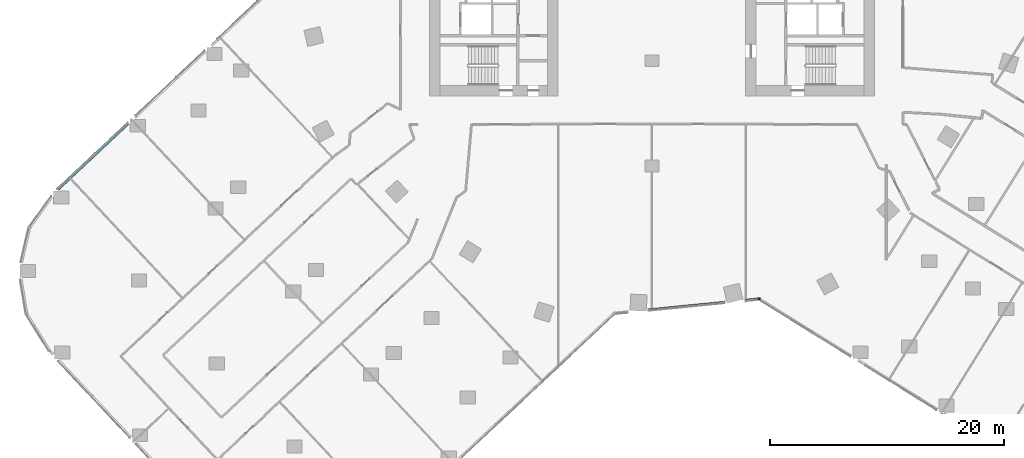
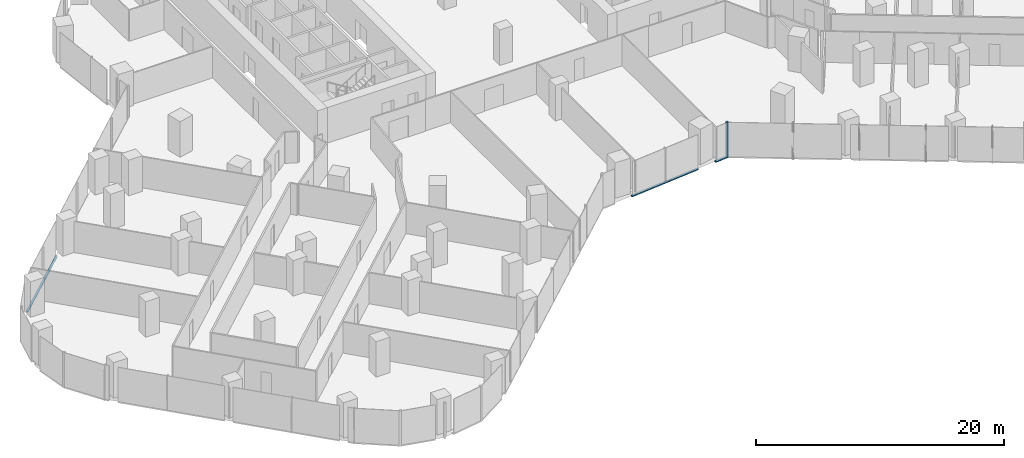
# One storey, part 5 of 34: 4 members, 2 elements without a shape of their own.
"""IFC4 building model written with IfcOpenShell, lengths in metres."""

import ifcopenshell
import ifcopenshell.guid

model = None  # the IFC model being written
_history = None  # IfcOwnerHistory: only IFC2X3 demands one
_inside = {}  # id of a spatial element -> (the spatial element, [elements in it])
_under = {}  # id of a project, library or spatial element -> (it, [spatial elements below it])
_declared = {}  # id of a project -> (the project, [libraries it declares])
_typed = {}  # id of a type object -> (the type object, [elements of that type])
_made_of = {}  # id of a material, layer set ... -> (it, [elements and type objects made of it])


def new_model(schema):
    """Start an empty IFC model of exactly this schema.

    Asked for "IFC4X3", IfcOpenShell would pick the latest addendum, in which some entities
    have other attributes; the version numbers below select the first issue.
    IFC2X3 requires an IfcOwnerHistory on every rooted entity: one is made here for all.
    """
    global model, _history
    if schema == "IFC4X3":
        model = ifcopenshell.file(schema_version=(4, 3, 0, 0))
    else:
        model = ifcopenshell.file(schema=schema)
    _inside.clear()
    _under.clear()
    _declared.clear()
    _typed.clear()
    _made_of.clear()
    _history = None
    if model.schema == "IFC2X3":
        org = make("IfcOrganization", Name="unknown")
        user = make(
            "IfcPersonAndOrganization",
            ThePerson=make("IfcPerson", FamilyName="unknown"),
            TheOrganization=org,
        )
        app = make(
            "IfcApplication",
            ApplicationDeveloper=org,
            Version="unknown",
            ApplicationFullName="unknown",
            ApplicationIdentifier="unknown",
        )
        _history = make(
            "IfcOwnerHistory",
            OwningUser=user,
            OwningApplication=app,
            ChangeAction="ADDED",
            CreationDate=0,
        )
    return model


def make(cls, **values):
    """One entity of the class cls with the attributes given. An attribute that is None is left unset."""
    return model.create_entity(
        cls, **{name: value for name, value in values.items() if value is not None}
    )


def rooted(cls, **values):
    """An entity with a GlobalId (a new one), such as an element, a storey or a relation."""
    return make(cls, GlobalId=ifcopenshell.guid.new(), OwnerHistory=_history, **values)


def si_unit(unit_type, name, prefix=None):
    """IfcSIUnit, for example si_unit("LENGTHUNIT", "METRE", prefix="MILLI")."""
    return make("IfcSIUnit", UnitType=unit_type, Prefix=prefix, Name=name)


def assignment(units):
    """IfcUnitAssignment: the units of a project."""
    return None if units is None else make("IfcUnitAssignment", Units=units)


def point(xyz):
    """IfcCartesianPoint."""
    return None if xyz is None else make("IfcCartesianPoint", Coordinates=xyz)


def direction(xyz):
    """IfcDirection."""
    return None if xyz is None else make("IfcDirection", DirectionRatios=xyz)


def frame(location, z_axis=None, x_axis=None):
    """IfcAxis2Placement3D, a coordinate frame: its origin and axes. An axis left out is left unset."""
    return make(
        "IfcAxis2Placement3D",
        Location=point(location),
        Axis=direction(z_axis),
        RefDirection=direction(x_axis),
    )


def frame_2d(location, x_axis=None):
    """IfcAxis2Placement2D, a coordinate frame in the plane: its origin and x axis."""
    return make(
        "IfcAxis2Placement2D", Location=point(location), RefDirection=direction(x_axis)
    )


def origin():
    """The frame at (0, 0, 0) with its axes left unset."""
    return frame((0.0, 0.0, 0.0))


def origin_2d():
    """The frame at (0, 0) in the plane with its x axis left unset."""
    return frame_2d((0.0, 0.0))


def place(relative_to, where):
    """IfcLocalPlacement: puts the frame where relative to a parent placement (None: the world)."""
    return make(
        "IfcLocalPlacement", PlacementRelTo=relative_to, RelativePlacement=where
    )


def context(
    kind, dimensions, precision=None, world=None, true_north=None, identifier=None
):
    """IfcGeometricRepresentationContext, for example the 3D "Model" context."""
    return make(
        "IfcGeometricRepresentationContext",
        ContextIdentifier=identifier,
        ContextType=kind,
        CoordinateSpaceDimension=dimensions,
        Precision=precision,
        WorldCoordinateSystem=world,
        TrueNorth=true_north,
    )


def subcontext(parent, identifier, kind, view, scale=None):
    """IfcGeometricRepresentationSubContext, for example "Body" below "Model"."""
    return make(
        "IfcGeometricRepresentationSubContext",
        ContextIdentifier=identifier,
        ContextType=kind,
        ParentContext=parent,
        TargetScale=scale,
        TargetView=view,
    )


def project(units=None, contexts=None):
    """IfcProject with its units and contexts."""
    return rooted(
        "IfcProject",
        Name="project",
        RepresentationContexts=contexts,
        UnitsInContext=assignment(units),
    )


def spatial(cls, under=None, at=None, **own):
    """A site, building, storey or space (cls), placed at a placement, below another one or the project."""
    s = rooted(cls, ObjectPlacement=at, **own)
    if under is not None:
        _under.setdefault(under.id(), (under, []))[1].append(s)
    return s


def profile(cls, at=None, kind="AREA", **sizes):
    """A parametric profile (cls). Its sizes go by their IFC names, for example OverallWidth=200.0."""
    return make(cls, ProfileType=kind, Position=at, **sizes)


def rectangle(**sizes):
    """IfcRectangleProfileDef."""
    return profile("IfcRectangleProfileDef", **sizes)


def extrude(swept, where, along, depth):
    """IfcExtrudedAreaSolid: the profile swept, set in the frame where, extruded along a direction by depth."""
    return make(
        "IfcExtrudedAreaSolid",
        SweptArea=swept,
        Position=where,
        ExtrudedDirection=direction(along),
        Depth=depth,
    )


def shape(context_of_items, identifier, shape_type, items):
    """IfcShapeRepresentation: the items that make up one representation, for example the "Body"."""
    return make(
        "IfcShapeRepresentation",
        ContextOfItems=context_of_items,
        RepresentationIdentifier=identifier,
        RepresentationType=shape_type,
        Items=items,
    )


def material(Name=None, Category=None):
    """IfcMaterial."""
    return make("IfcMaterial", Name=Name, Category=Category)


def material_profile(
    of_material, cross_section, Name=None, Category=None, Priority=None
):
    """IfcMaterialProfile: a cross section and its material."""
    return make(
        "IfcMaterialProfile",
        Name=Name,
        Material=of_material,
        Profile=cross_section,
        Priority=Priority,
        Category=Category,
    )


def profile_set(profiles, Name=None, composite=None):
    """IfcMaterialProfileSet."""
    return make(
        "IfcMaterialProfileSet",
        Name=Name,
        MaterialProfiles=profiles,
        CompositeProfile=composite,
    )


def made_of(thing, what):
    """Note that an element or type object is made of a material, layer set ...; save() writes the relation."""
    if what is not None:
        _made_of.setdefault(what.id(), (what, []))[1].append(thing)
    return thing


def type_object(cls, material=None, **own):
    """A type object (cls), such as IfcWallType, which elements share."""
    return made_of(rooted(cls, **own), material)


def element(
    cls,
    number,
    at=None,
    inside=None,
    cuts=None,
    type_object=None,
    material=None,
    context=None,
    identifier="Body",
    shape_type=None,
    held_by="IfcProductDefinitionShape",
    body=None,
    shapes=None,
    **own,
):
    """One element of the class cls, such as IfcWall. Its Tag is "e" and its number.

    at: its placement. inside: the storey or other place that contains it. cuts: it is an
    opening in that element (IfcRelVoidsElement). A single representation is given by context,
    identifier, shape_type and body (its items); several are given by shapes. held_by: the class
    of the entity that holds the representations. save() writes the other relations.
    """
    e = rooted(cls, Tag="e%d" % number, ObjectPlacement=at, **own)
    if body is not None:
        shapes = [shape(context, identifier, shape_type, body)]
    if shapes is not None:
        e.Representation = make(held_by, Representations=shapes)
    if inside is not None:
        _inside.setdefault(inside.id(), (inside, []))[1].append(e)
    if cuts is not None:
        rooted(
            "IfcRelVoidsElement", RelatingBuildingElement=cuts, RelatedOpeningElement=e
        )
    if type_object is not None:
        _typed.setdefault(type_object.id(), (type_object, []))[1].append(e)
    return made_of(e, material)


def aggregate(whole, parts):
    """IfcRelAggregates: a whole, such as a stair, and the parts it consists of."""
    return rooted("IfcRelAggregates", RelatingObject=whole, RelatedObjects=parts)


def save(model, path):
    """Write the relations noted so far, then the file.

    IfcRelAggregates (storeys below a building ...), IfcRelContainedInSpatialStructure (elements
    in a storey), IfcRelDefinesByType, IfcRelAssociatesMaterial and IfcRelDeclares: one each for
    every whole, place, type object, material and project.
    """
    for whole, parts in _under.values():
        aggregate(whole, parts)
    for where, things in _inside.values():
        rooted(
            "IfcRelContainedInSpatialStructure",
            RelatedElements=things,
            RelatingStructure=where,
        )
    for kind, things in _typed.values():
        rooted("IfcRelDefinesByType", RelatedObjects=things, RelatingType=kind)
    for what, things in _made_of.values():
        rooted("IfcRelAssociatesMaterial", RelatedObjects=things, RelatingMaterial=what)
    for by, libraries in _declared.values():
        rooted("IfcRelDeclares", RelatingContext=by, RelatedDefinitions=libraries)
    model.write(path)


model = new_model("IFC4")

# Units and contexts
model_context = context("Model", 3, precision=1e-05, world=origin(), true_north=direction((0.0, 1.0)))
body_context = subcontext(model_context, "Body", "Model", "MODEL_VIEW")
ifc_project = project(units=[si_unit("LENGTHUNIT", "METRE"), si_unit("AREAUNIT", "SQUARE_METRE"), si_unit("VOLUMEUNIT", "CUBIC_METRE"), si_unit("PLANEANGLEUNIT", "RADIAN"), si_unit("MASSUNIT", "GRAM", prefix="KILO")], contexts=[model_context])

# Site, building, storey
site_placement = place(None, origin())
site = spatial("IfcSite", under=ifc_project, at=site_placement, CompositionType="ELEMENT")
building_placement = place(site_placement, origin())
building = spatial("IfcBuilding", under=site, at=building_placement, Name="Orlundy Tower", CompositionType="ELEMENT")
storey_placement = place(building_placement, frame((0.0, 0.0, 40.800048828125)))
storey = spatial("IfcBuildingStorey", under=building, at=storey_placement, Name="L08", CompositionType="ELEMENT", Elevation=40.800048828125)

# Curtain wall, member
ifc_material_1 = material(Name="Aluminium bronze anodised", Category="aluminium")
curtain_wall_type = type_object("IfcCurtainWallType", Name="CW1 wall", PredefinedType="NOTDEFINED", material=ifc_material_1)
curtain_wall_1_placement = place(storey_placement, origin())
curtain_wall_1 = element("IfcCurtainWall", 1, at=curtain_wall_1_placement, inside=storey, type_object=curtain_wall_type, Name="CW1 run 017", PredefinedType="NOTDEFINED")
ifc_material_2 = material(Name="Aluminium bronze anodised", Category="aluminium")
ifc_material_profile_1 = material_profile(ifc_material_2, rectangle(XDim=0.179931640625, YDim=0.179931640625, at=origin_2d()), Name="CW1 corner post 180x180")
ifc_profile_set_1 = profile_set([ifc_material_profile_1], Name="Aluminium bronze anodised")
member_type_1 = type_object("IfcMemberType", Name="CW1 corner post 180x180", PredefinedType="MULLION", material=ifc_profile_set_1)
member_1_placement = place(storey_placement, frame((9.153564453125, -29.32958984375, -0.420166015625), z_axis=(0.0, 0.0, 1.0), x_axis=(0.098750373279, -0.995112236774, 0.0)))
member_1 = element("IfcMember", 2, at=member_1_placement, type_object=member_type_1, Name="CW1 mullion 49", PredefinedType="MULLION", context=body_context, shape_type="SweptSolid", body=[
    extrude(rectangle(XDim=0.179931640625, YDim=0.179931640625, at=origin_2d()), origin(), (0.0, 0.0, 1.0), 3.5),
])

curtain_wall_2_placement = place(storey_placement, origin())
curtain_wall_2 = element("IfcCurtainWall", 3, at=curtain_wall_2_placement, inside=storey, type_object=curtain_wall_type, Name="CW1 run 00", PredefinedType="NOTDEFINED")
ifc_material_3 = material(Name="Aluminium bronze anodised", Category="aluminium")
ifc_material_profile_2 = material_profile(ifc_material_3, rectangle(XDim=0.179931640625, YDim=0.1201171875, at=origin_2d()), Name="CW1 transom 180x120")
ifc_profile_set_2 = profile_set([ifc_material_profile_2], Name="Aluminium bronze anodised")
member_type_2 = type_object("IfcMemberType", Name="CW1 transom 180x120", PredefinedType="USERDEFINED", material=ifc_profile_set_2)
member_2_placement = place(storey_placement, frame((-50.68310546875, -19.9951171875, -0.360107421875), z_axis=(0.729351221798, 0.684139456005, 0.0), x_axis=(-0.684139456005, 0.729351221798, 0.0)))
member_2 = element("IfcMember", 4, at=member_2_placement, type_object=member_type_2, Name="CW1 transom", ObjectType="TRANSOM", PredefinedType="USERDEFINED", context=body_context, shape_type="SweptSolid", body=[
    extrude(rectangle(XDim=0.179931640625, YDim=0.1201171875, at=origin_2d()), origin(), (0.0, 0.0, 1.0), 8.2294921875),
])
aggregate(curtain_wall_2, [member_2])

# Member
member_3_placement = place(storey_placement, frame((9.06396484375, -29.33837890625, -0.360107421875), z_axis=(-0.995095778729, -0.098916081385, 0.0), x_axis=(0.098916081385, -0.995095778729, 0.0)))
member_3 = element("IfcMember", 5, at=member_3_placement, type_object=member_type_2, Name="CW1 transom", ObjectType="TRANSOM", PredefinedType="USERDEFINED", context=body_context, shape_type="SweptSolid", body=[
    extrude(rectangle(XDim=0.179931640625, YDim=0.1201171875, at=origin_2d()), origin(), (0.0, 0.0, 1.0), 1.110595703125),
])

member_4_placement = place(storey_placement, frame((6.2509765625, -29.61767578125, -0.360107421875), z_axis=(-0.995113533405, -0.098737306191, 0.0), x_axis=(0.098737306191, -0.995113533405, 0.0)))
member_4 = element("IfcMember", 6, at=member_4_placement, type_object=member_type_2, Name="CW1 transom", ObjectType="TRANSOM", PredefinedType="USERDEFINED", context=body_context, shape_type="SweptSolid", body=[
    extrude(rectangle(XDim=0.179931640625, YDim=0.1201171875, at=origin_2d()), origin(), (0.0, 0.0, 1.0), 6.592041015625),
])

aggregate(curtain_wall_1, [member_1, member_3, member_4])

save(model, "model.ifc")
